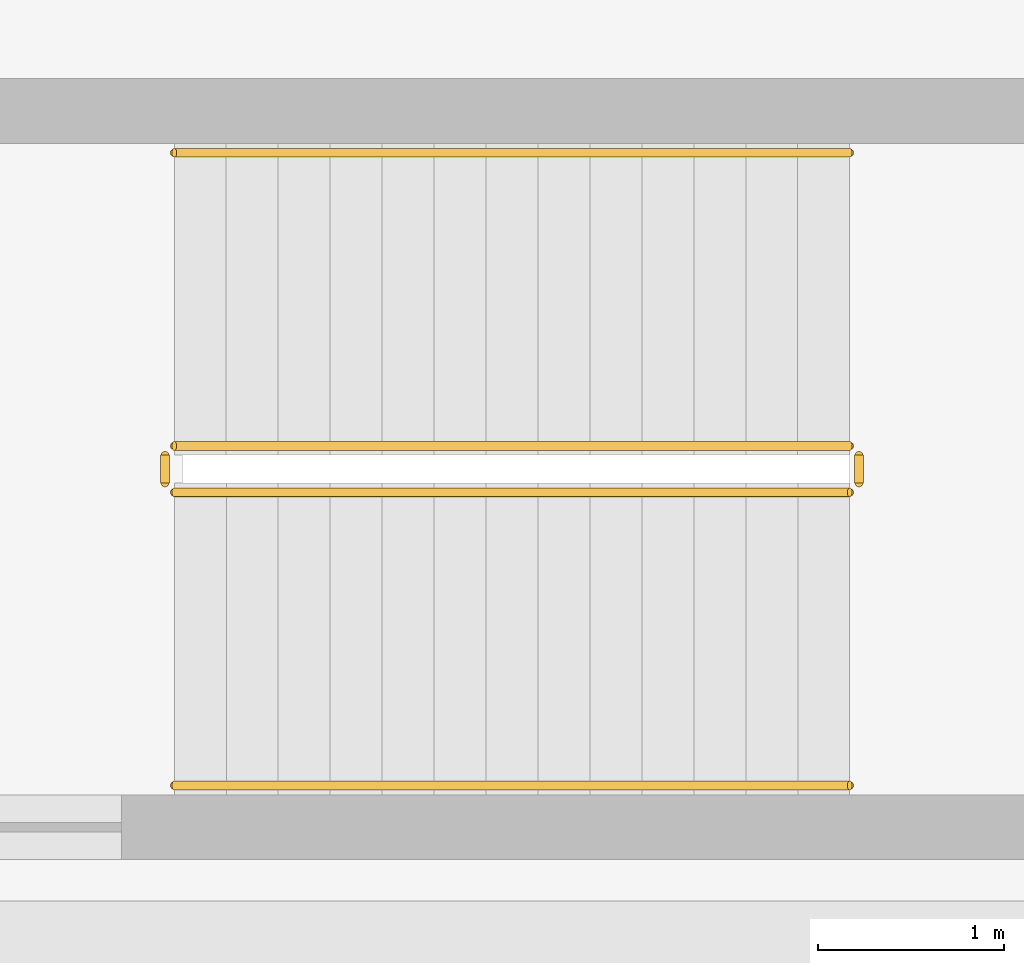
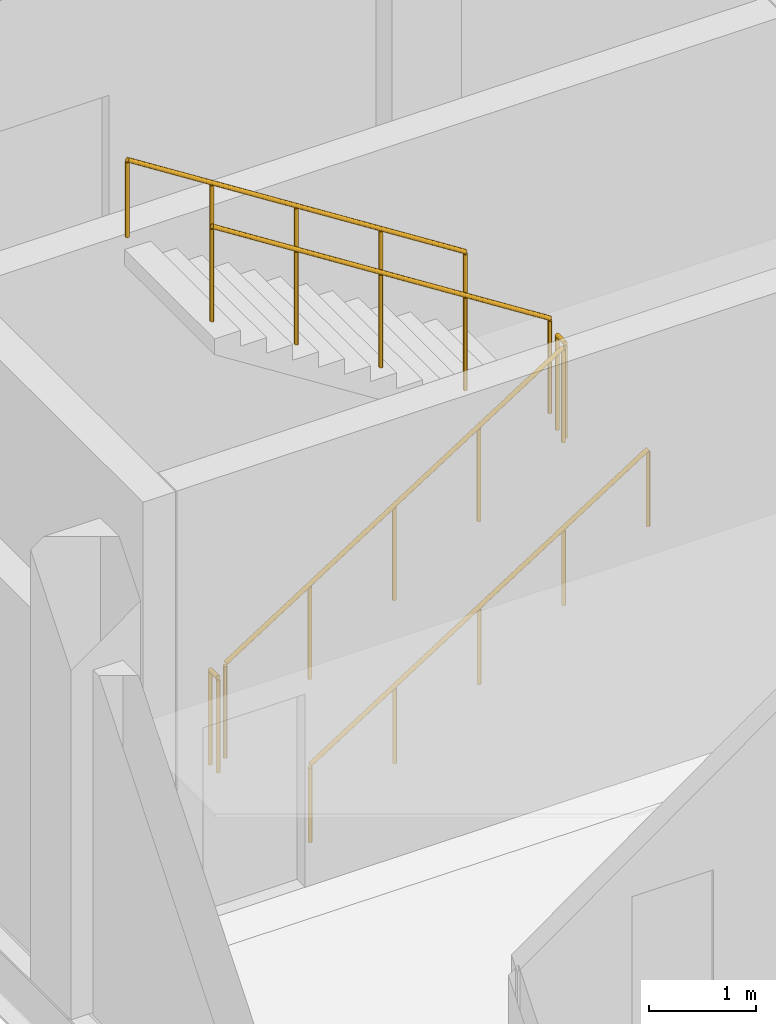
# One storey, part 47 of 47: 6 railings.
"""IFC4 building model written with IfcOpenShell, lengths in metres."""

from ifc_helpers import new_model, si_unit, direction, frame, origin, origin_2d, place, context, subcontext, project, spatial, circle, extrude, material, type_object, element, save


model = new_model("IFC4")

# Units and contexts
model_context = context("Model", 3, precision=1e-05, world=origin(), true_north=direction((0.0, 1.0)))
body_context = subcontext(model_context, "Body", "Model", "MODEL_VIEW")
ifc_project = project(units=[si_unit("LENGTHUNIT", "METRE"), si_unit("AREAUNIT", "SQUARE_METRE"), si_unit("VOLUMEUNIT", "CUBIC_METRE"), si_unit("PLANEANGLEUNIT", "RADIAN"), si_unit("MASSUNIT", "GRAM", prefix="KILO")], contexts=[model_context])

# Site, building, storey
site_placement = place(None, origin())
site = spatial("IfcSite", under=ifc_project, at=site_placement, CompositionType="ELEMENT")
building_placement = place(site_placement, origin())
building = spatial("IfcBuilding", under=site, at=building_placement, Name="Qorvath Tower", CompositionType="ELEMENT")
storey_placement = place(building_placement, frame((0.0, 0.0, 12.0)))
storey = spatial("IfcBuildingStorey", under=building, at=storey_placement, Name="L02", CompositionType="ELEMENT", Elevation=12.0)

# Railings
ifc_material_1 = material(Name="Painted galvanised steel", Category="steel")
railing_type_1 = type_object("IfcRailingType", Name="RL-STR-GRD", PredefinedType="GUARDRAIL", material=ifc_material_1)
railing_1_placement = place(storey_placement, frame((35.280029296875, 31.179931640625, 0.178466796875)))
element("IfcRailing", 1, at=railing_1_placement, inside=storey, type_object=railing_type_1, Name="L02 LS1 stair guard 1", PredefinedType="GUARDRAIL", context=body_context, shape_type="SweptSolid", body=[
    extrude(circle(Radius=0.02392578125, at=origin_2d()), frame((0.0, 0.0, 1.076171875), z_axis=(0.843111507901, 0.0, 0.53773877045), x_axis=(0.0, 1.0, 0.0)), (0.0, 0.0, 1.0), 4.317138671875),
    extrude(circle(Radius=0.02099609375, at=origin_2d()), origin(), (0.0, 0.0, 1.0), 1.052001953125),
    extrude(circle(Radius=0.02099609375, at=origin_2d()), frame((0.909912109375, 0.0, 0.580322265625)), (0.0, 0.0, 1.0), 1.052001953125),
    extrude(circle(Radius=0.02099609375, at=origin_2d()), frame((1.81982421875, 0.0, 1.16064453125)), (0.0, 0.0, 1.0), 1.052001953125),
    extrude(circle(Radius=0.02099609375, at=origin_2d()), frame((2.72998046875, 0.0, 1.7412109375)), (0.0, 0.0, 1.0), 1.052001953125),
    extrude(circle(Radius=0.02099609375, at=origin_2d()), frame((3.639892578125, 0.0, 2.321533203125)), (0.0, 0.0, 1.0), 1.052001953125),
])
railing_2_placement = place(storey_placement, frame((38.969970703125, 31.22998046875, 2.5)))
element("IfcRailing", 2, at=railing_2_placement, inside=storey, type_object=railing_type_1, Name="L02 LS1 stair guard 2", PredefinedType="GUARDRAIL", context=body_context, shape_type="SweptSolid", body=[
    extrude(circle(Radius=0.02392578125, at=origin_2d()), frame((0.0, 0.0, 1.076171875), z_axis=(0.0, 1.0, 0.0), x_axis=(-1.0, 0.0, 0.0)), (0.0, 0.0, 1.0), 0.14990234375),
    extrude(circle(Radius=0.02099609375, at=origin_2d()), origin(), (0.0, 0.0, 1.0), 1.052001953125),
    extrude(circle(Radius=0.02099609375, at=origin_2d()), frame((0.0, 0.14990234375, 0.0)), (0.0, 0.0, 1.0), 1.052001953125),
])
railing_3_placement = place(storey_placement, frame((38.919921875, 31.429931640625, 2.678466796875)))
element("IfcRailing", 3, at=railing_3_placement, inside=storey, type_object=railing_type_1, Name="L02 LS1 stair guard 3", PredefinedType="GUARDRAIL", context=body_context, shape_type="SweptSolid", body=[
    extrude(circle(Radius=0.02392578125, at=origin_2d()), frame((0.0, 0.0, 1.076171875), z_axis=(-0.843111507901, 0.0, 0.53773877045), x_axis=(0.0, -1.0, 0.0)), (0.0, 0.0, 1.0), 4.317138671875),
    extrude(circle(Radius=0.02099609375, at=origin_2d()), origin(), (0.0, 0.0, 1.0), 1.052001953125),
    extrude(circle(Radius=0.02099609375, at=origin_2d()), frame((-0.909912109375, 0.0, 0.580322265625)), (0.0, 0.0, 1.0), 1.052001953125),
    extrude(circle(Radius=0.02099609375, at=origin_2d()), frame((-1.81982421875, 0.0, 1.16064453125)), (0.0, 0.0, 1.0), 1.052001953125),
    extrude(circle(Radius=0.02099609375, at=origin_2d()), frame((-2.72998046875, 0.0, 1.7412109375)), (0.0, 0.0, 1.0), 1.052001953125),
    extrude(circle(Radius=0.02099609375, at=origin_2d()), frame((-3.639892578125, 0.0, 2.321533203125)), (0.0, 0.0, 1.0), 1.052001953125),
])
railing_4_placement = place(storey_placement, frame((35.22998046875, 31.22998046875, 0.0)))
element("IfcRailing", 4, at=railing_4_placement, inside=storey, type_object=railing_type_1, Name="L02 LS1 stair guard 4", PredefinedType="GUARDRAIL", context=body_context, shape_type="SweptSolid", body=[
    extrude(circle(Radius=0.02392578125, at=origin_2d()), frame((0.0, 0.0, 1.076171875), z_axis=(0.0, 1.0, 0.0), x_axis=(-1.0, 0.0, 0.0)), (0.0, 0.0, 1.0), 0.14990234375),
    extrude(circle(Radius=0.02099609375, at=origin_2d()), origin(), (0.0, 0.0, 1.0), 1.052001953125),
    extrude(circle(Radius=0.02099609375, at=origin_2d()), frame((0.0, 0.14990234375, 0.0)), (0.0, 0.0, 1.0), 1.052001953125),
])
ifc_material_2 = material(Name="Brushed stainless steel AISI 304", Category="steel")
railing_type_2 = type_object("IfcRailingType", Name="RL-STR-HND", PredefinedType="HANDRAIL", material=ifc_material_2)
railing_5_placement = place(storey_placement, frame((35.280029296875, 29.60009765625, 0.178466796875)))
element("IfcRailing", 5, at=railing_5_placement, inside=storey, type_object=railing_type_2, Name="L02 LS1 stair handrail 1", PredefinedType="HANDRAIL", context=body_context, shape_type="SweptSolid", body=[
    extrude(circle(Radius=0.02392578125, at=origin_2d()), frame((0.0, 0.0, 0.8759765625), z_axis=(0.843111507901, 0.0, 0.53773877045), x_axis=(0.0, 1.0, 0.0)), (0.0, 0.0, 1.0), 4.317138671875),
    extrude(circle(Radius=0.02099609375, at=origin_2d()), origin(), (0.0, 0.0, 1.0), 0.851806640625),
    extrude(circle(Radius=0.02099609375, at=origin_2d()), frame((0.909912109375, 0.0, 0.580322265625)), (0.0, 0.0, 1.0), 0.851806640625),
    extrude(circle(Radius=0.02099609375, at=origin_2d()), frame((1.81982421875, 0.0, 1.16064453125)), (0.0, 0.0, 1.0), 0.851806640625),
    extrude(circle(Radius=0.02099609375, at=origin_2d()), frame((2.72998046875, 0.0, 1.7412109375)), (0.0, 0.0, 1.0), 0.851806640625),
    extrude(circle(Radius=0.02099609375, at=origin_2d()), frame((3.639892578125, 0.0, 2.321533203125)), (0.0, 0.0, 1.0), 0.851806640625),
])
railing_6_placement = place(storey_placement, frame((38.919921875, 33.010009765625, 2.678466796875)))
element("IfcRailing", 6, at=railing_6_placement, inside=storey, type_object=railing_type_2, Name="L02 LS1 stair handrail 2", PredefinedType="HANDRAIL", context=body_context, shape_type="SweptSolid", body=[
    extrude(circle(Radius=0.02392578125, at=origin_2d()), frame((0.0, 0.0, 0.8759765625), z_axis=(-0.843111507901, 0.0, 0.53773877045), x_axis=(0.0, -1.0, 0.0)), (0.0, 0.0, 1.0), 4.317138671875),
    extrude(circle(Radius=0.02099609375, at=origin_2d()), origin(), (0.0, 0.0, 1.0), 0.851806640625),
    extrude(circle(Radius=0.02099609375, at=origin_2d()), frame((-0.909912109375, 0.0, 0.580322265625)), (0.0, 0.0, 1.0), 0.851806640625),
    extrude(circle(Radius=0.02099609375, at=origin_2d()), frame((-1.81982421875, 0.0, 1.16064453125)), (0.0, 0.0, 1.0), 0.851806640625),
    extrude(circle(Radius=0.02099609375, at=origin_2d()), frame((-2.72998046875, 0.0, 1.7412109375)), (0.0, 0.0, 1.0), 0.851806640625),
    extrude(circle(Radius=0.02099609375, at=origin_2d()), frame((-3.639892578125, 0.0, 2.321533203125)), (0.0, 0.0, 1.0), 0.851806640625),
])

save(model, "model.ifc")
